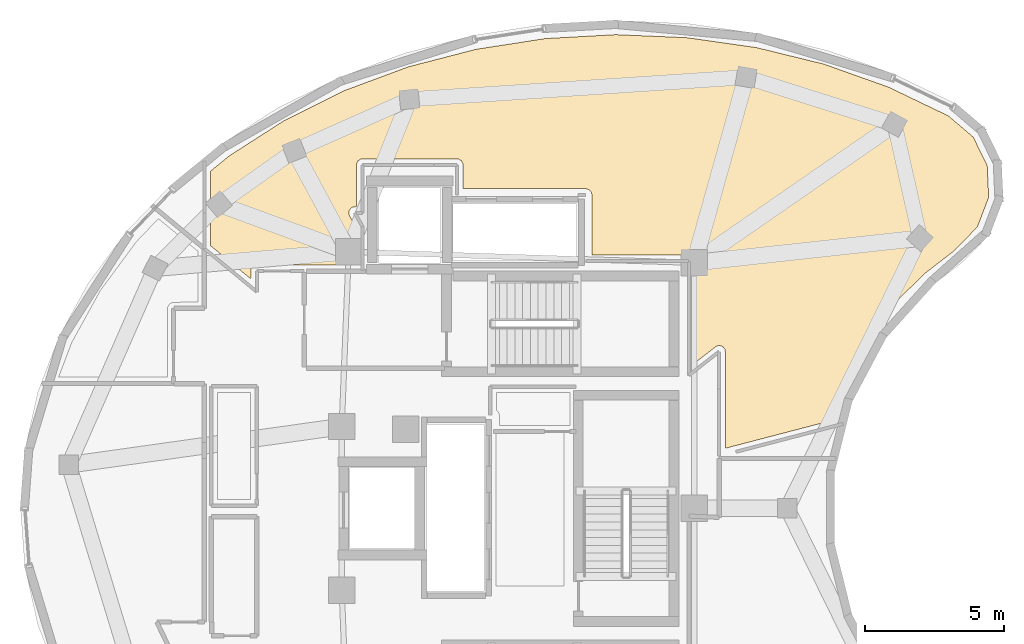
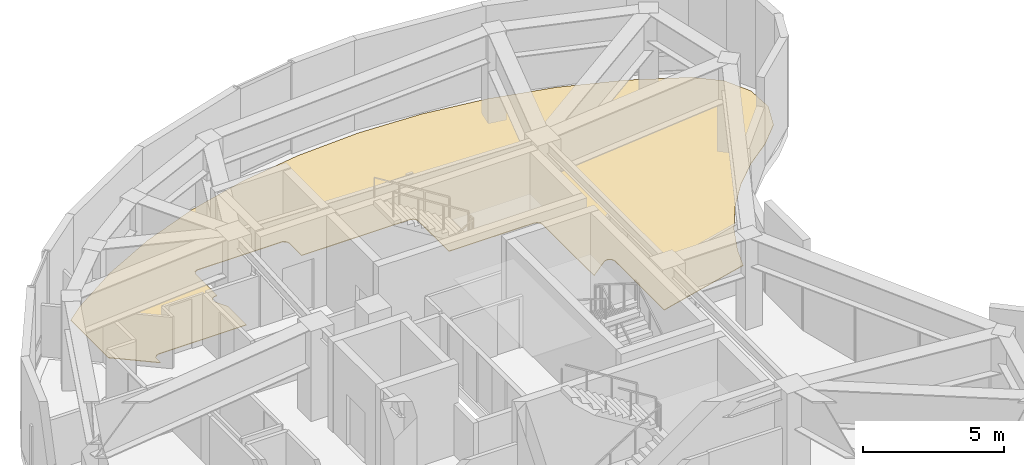
# One storey, part 8 of 8: 1 covering.
"""IFC4 building model written with IfcOpenShell, lengths in metres."""

from ifc_helpers import new_model, si_unit, direction, frame, origin, place, context, subcontext, project, spatial, polyline, outline, extrude, material, layer, layer_set, type_object, element, save


model = new_model("IFC4")

# Units and contexts
model_context = context("Model", 3, precision=1e-05, world=origin(), true_north=direction((0.0, 1.0)))
body_context = subcontext(model_context, "Body", "Model", "MODEL_VIEW")
ifc_project = project(units=[si_unit("LENGTHUNIT", "METRE"), si_unit("AREAUNIT", "SQUARE_METRE"), si_unit("VOLUMEUNIT", "CUBIC_METRE"), si_unit("PLANEANGLEUNIT", "RADIAN"), si_unit("MASSUNIT", "GRAM", prefix="KILO")], contexts=[model_context])

# Site, building, storey
site_placement = place(None, origin())
site = spatial("IfcSite", under=ifc_project, at=site_placement, CompositionType="ELEMENT")
building_placement = place(site_placement, origin())
building = spatial("IfcBuilding", under=site, at=building_placement, Name="Korentha Bioscience Tower", CompositionType="ELEMENT")
storey_placement = place(building_placement, frame((0.0, 0.0, 322.800048828125)))
storey = spatial("IfcBuildingStorey", under=building, at=storey_placement, Name="L74", CompositionType="ELEMENT", Elevation=322.800048828125)

# Covering
ifc_material = material(Name="Honed Travertine Limestone", Category="masonry")
ifc_layer = layer(ifc_material, 0.02490234375, Name="Honed Travertine Limestone")
ifc_layer_set = layer_set([ifc_layer], Name="Honed Travertine Limestone (FL-STN)")
covering_type = type_object("IfcCoveringType", Name="Honed Travertine Lobby Stone Flooring 25", PredefinedType="FLOORING", material=ifc_layer_set)
covering_placement = place(storey_placement, origin())
element("IfcCovering", 1, at=covering_placement, inside=storey, type_object=covering_type, Name="L74 Principal Investigator Office 02 Floor Finish", PredefinedType="FLOORING", context=body_context, shape_type="SweptSolid", body=[
    extrude(outline(polyline([(20.1220703125, 39.151123046875), (20.78955078125, 39.6982421875), (22.779296875, 40.9775390625), (24.947021484375, 42.05517578125), (27.260498046875, 42.914794921875), (29.686279296875, 43.54296875), (32.18896484375, 43.930419921875), (34.7314453125, 44.07080078125), (37.276123046875, 43.96240234375), (39.785888671875, 43.606689453125), (42.2236328125, 43.009033203125), (44.5537109375, 42.178955078125), (46.70751953125, 41.14501953125), (47.606689453125, 40.3779296875), (48.10888671875, 39.351806640625), (48.16162109375, 38.21044921875), (47.75537109375, 37.142333984375), (46.90966796875, 36.27490234375), (45.862548828125, 35.468017578125), (44.91748046875, 34.539794921875), (44.053955078125, 33.45947265625), (43.313720703125, 32.25), (42.764892578125, 31.045166015625), (42.483154296875, 30.160400390625), (38.672119140625, 29.166015625), (38.672119140625, 32.644775390625), (38.65087890625, 32.739501953125), (38.599609375, 32.8095703125), (38.52587890625, 32.854736328125), (38.440185546875, 32.86865234375), (38.35595703125, 32.84912109375), (37.580078125, 32.24853515625), (37.580078125, 35.89990234375), (37.5576171875, 35.998779296875), (37.46875, 36.096923828125), (37.36083984375, 36.129638671875), (33.8701171875, 36.1298828125), (33.86962890625, 38.30078125), (33.8369140625, 38.40869140625), (33.7578125, 38.487548828125), (33.639892578125, 38.52001953125), (29.219970703125, 38.52001953125), (29.217529296875, 39.4091796875), (29.161865234375, 39.526611328125), (29.050537109375, 39.59326171875), (25.54931640625, 39.59326171875), (25.43798828125, 39.5263671875), (25.381103515625, 39.39794921875), (25.3798828125, 37.8720703125), (25.272705078125, 37.865234375), (25.192626953125, 37.8271484375), (25.1240234375, 37.7421875), (25.103515625, 37.656494140625), (25.125244140625, 37.55126953125), (25.3798828125, 37.0927734375), (25.3798828125, 35.780029296875), (21.7666015625, 35.777587890625), (21.66259765625, 35.734375), (21.58349609375, 35.6279296875), (21.570068359375, 35.271484375), (20.1220703125, 36.465576171875), (20.1220703125, 39.151123046875)])), origin(), (0.0, 0.0, 1.0), 0.02490234375),
])

save(model, "model.ifc")
